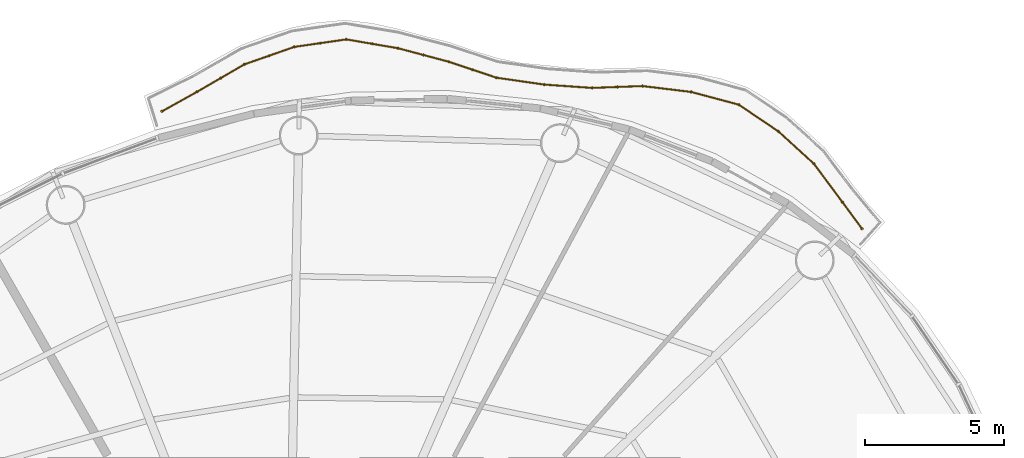
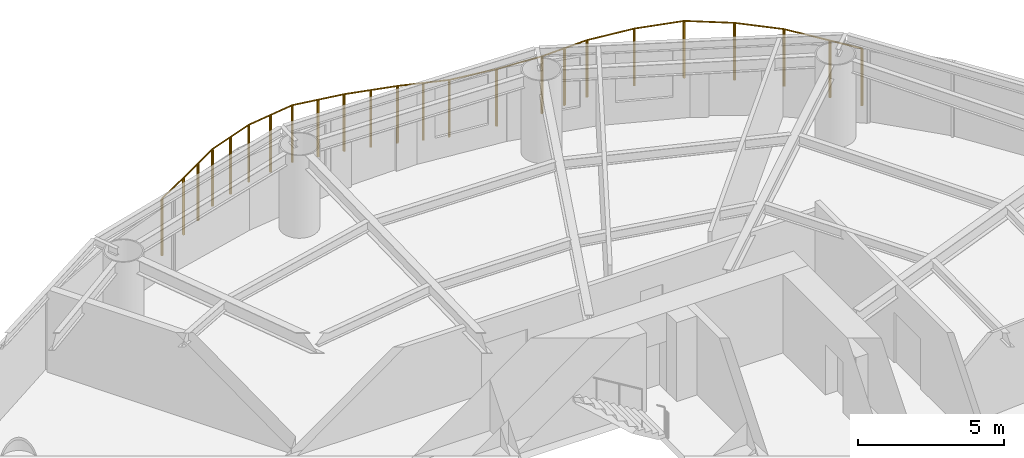
# One storey, part 15 of 15: 1 railing.
"""IFC4 building model written with IfcOpenShell, lengths in metres."""

from ifc_helpers import new_model, si_unit, direction, frame, origin, origin_2d, place, context, subcontext, project, spatial, circle, extrude, material, type_object, element, save


model = new_model("IFC4")

# Units and contexts
model_context = context("Model", 3, precision=1e-05, world=origin(), true_north=direction((0.0, 1.0)))
body_context = subcontext(model_context, "Body", "Model", "MODEL_VIEW")
ifc_project = project(units=[si_unit("LENGTHUNIT", "METRE"), si_unit("AREAUNIT", "SQUARE_METRE"), si_unit("VOLUMEUNIT", "CUBIC_METRE"), si_unit("PLANEANGLEUNIT", "RADIAN"), si_unit("MASSUNIT", "GRAM", prefix="KILO")], contexts=[model_context])

# Site, building, storey
site_placement = place(None, origin())
site = spatial("IfcSite", under=ifc_project, at=site_placement, CompositionType="ELEMENT")
building_placement = place(site_placement, origin())
building = spatial("IfcBuilding", under=site, at=building_placement, Name="Vermilion Reach Broadcast Tower", CompositionType="ELEMENT")
storey_placement = place(building_placement, frame((0.0, 0.0, 154.199951171875)))
storey = spatial("IfcBuildingStorey", under=building, at=storey_placement, Name="L36", CompositionType="ELEMENT", Elevation=154.199951171875)

# Railing
ifc_material = material(Name="Terracotta baguette", Category="masonry")
railing_type = type_object("IfcRailingType", Name="BAGUETTE SCREEN", PredefinedType="USERDEFINED", material=ifc_material)
railing_placement = place(storey_placement, frame((14.729248046875, 19.43994140625, 0.0)))
element("IfcRailing", 1, at=railing_placement, inside=storey, type_object=railing_type, Name="Baguette screen L36 group 1", ObjectType="BAGUETTE SCREEN", PredefinedType="USERDEFINED", context=body_context, shape_type="SweptSolid", body=[
    extrude(circle(Radius=0.030029296875, at=origin_2d()), frame((0.0, 0.0, 2.369873046875), z_axis=(-0.592667994117, 0.805446862772, 0.0), x_axis=(-0.805446862772, -0.592667994117, 0.0)), (0.0, 0.0, 1.0), 1.192138671875),
    extrude(circle(Radius=0.030029296875, at=origin_2d()), frame((-0.70654296875, 0.960205078125, 2.369873046875), z_axis=(-0.596331853001, 0.802738015231, 0.0), x_axis=(-0.802738015231, -0.596331853001, 0.0)), (0.0, 0.0, 1.0), 1.717529296875),
    extrude(circle(Radius=0.030029296875, at=origin_2d()), frame((-1.730712890625, 2.3388671875, 2.369873046875), z_axis=(-0.738714312066, 0.67401866825, 0.0), x_axis=(-0.67401866825, -0.738714312066, 0.0)), (0.0, 0.0, 1.0), 1.732177734375),
    extrude(circle(Radius=0.030029296875, at=origin_2d()), frame((-3.01025390625, 3.50634765625, 2.369873046875), z_axis=(-0.829210853045, 0.558935918682, 0.0), x_axis=(-0.558935918682, -0.829210853045, 0.0)), (0.0, 0.0, 1.0), 1.726318359375),
    extrude(circle(Radius=0.030029296875, at=origin_2d()), frame((-4.441650390625, 4.47119140625, 2.369873046875), z_axis=(-0.96611347599, 0.258117708636, 0.0), x_axis=(-0.258117708636, -0.96611347599, 0.0)), (0.0, 0.0, 1.0), 1.769775390625),
    extrude(circle(Radius=0.030029296875, at=origin_2d()), frame((-6.1513671875, 4.927978515625, 2.369873046875), z_axis=(-0.992708209787, 0.120542151223, 0.0), x_axis=(-0.120542151223, -0.992708209787, 0.0)), (0.0, 0.0, 1.0), 1.76416015625),
    extrude(circle(Radius=0.030029296875, at=origin_2d()), frame((-7.902587890625, 5.140625, 2.369873046875), z_axis=(-0.999313730242, -0.037041443667, 0.0), x_axis=(0.037041443667, -0.999313730242, 0.0)), (0.0, 0.0, 1.0), 1.819091796875),
    extrude(circle(Radius=0.030029296875, at=origin_2d()), frame((-9.720458984375, 5.0732421875, 2.369873046875), z_axis=(-0.997576016065, 0.069585143328, 0.0), x_axis=(-0.069585143328, -0.997576016065, 0.0)), (0.0, 0.0, 1.0), 1.72265625),
    extrude(circle(Radius=0.030029296875, at=origin_2d()), frame((-11.43896484375, 5.193115234375, 2.369873046875), z_axis=(-0.989842869332, 0.142165727345, 0.0), x_axis=(-0.142165727345, -0.989842869332, 0.0)), (0.0, 0.0, 1.0), 1.744873046875),
    extrude(circle(Radius=0.030029296875, at=origin_2d()), frame((-13.166015625, 5.441162109375, 2.369873046875), z_axis=(-0.9483056175, 0.317358560336, 0.0), x_axis=(-0.317358560336, -0.9483056175, 0.0)), (0.0, 0.0, 1.0), 1.813232421875),
    extrude(circle(Radius=0.030029296875, at=origin_2d()), frame((-14.885498046875, 6.0166015625, 2.369873046875), z_axis=(-0.966290858415, 0.257452863538, 0.0), x_axis=(-0.257452863538, -0.966290858415, 0.0)), (0.0, 0.0, 1.0), 1.88330078125),
    extrude(circle(Radius=0.030029296875, at=origin_2d()), frame((-16.705322265625, 6.50146484375, 2.369873046875), z_axis=(-0.985612430562, 0.16902111324, 0.0), x_axis=(-0.16902111324, -0.985612430562, 0.0)), (0.0, 0.0, 1.0), 1.892333984375),
    extrude(circle(Radius=0.030029296875, at=origin_2d()), frame((-18.5703125, 6.8212890625, 2.369873046875), z_axis=(-0.989755282646, -0.142774229029, 0.0), x_axis=(0.142774229029, -0.989755282646, 0.0)), (0.0, 0.0, 1.0), 1.894775390625),
    extrude(circle(Radius=0.030029296875, at=origin_2d()), frame((-20.445556640625, 6.55078125, 2.369873046875), z_axis=(-0.943866340391, -0.330327612345, 0.0), x_axis=(0.330327612345, -0.943866340391, 0.0)), (0.0, 0.0, 1.0), 1.90673828125),
    extrude(circle(Radius=0.030029296875, at=origin_2d()), frame((-22.245361328125, 5.9208984375, 2.369873046875), z_axis=(-0.86506449291, -0.501660665297, 0.0), x_axis=(0.501660665297, -0.86506449291, 0.0)), (0.0, 0.0, 1.0), 1.972412109375),
    extrude(circle(Radius=0.030029296875, at=origin_2d()), frame((-23.95166015625, 4.931396484375, 2.369873046875), z_axis=(-0.873574141123, -0.486691092954, 0.0), x_axis=(0.486691092954, -0.873574141123, 0.0)), (0.0, 0.0, 1.0), 1.443115234375),
    extrude(circle(Radius=0.050048828125, at=origin_2d()), origin(), (0.0, 0.0, 1.0), 2.33984375),
    extrude(circle(Radius=0.050048828125, at=origin_2d()), frame((-0.70654296875, 0.960205078125, 0.0)), (0.0, 0.0, 1.0), 2.33984375),
    extrude(circle(Radius=0.050048828125, at=origin_2d()), frame((-1.730712890625, 2.3388671875, 0.0)), (0.0, 0.0, 1.0), 2.33984375),
    extrude(circle(Radius=0.050048828125, at=origin_2d()), frame((-3.01025390625, 3.50634765625, 0.0)), (0.0, 0.0, 1.0), 2.33984375),
    extrude(circle(Radius=0.050048828125, at=origin_2d()), frame((-4.441650390625, 4.47119140625, 0.0)), (0.0, 0.0, 1.0), 2.33984375),
    extrude(circle(Radius=0.050048828125, at=origin_2d()), frame((-6.1513671875, 4.927978515625, 0.0)), (0.0, 0.0, 1.0), 2.33984375),
    extrude(circle(Radius=0.050048828125, at=origin_2d()), frame((-7.902587890625, 5.140625, 0.0)), (0.0, 0.0, 1.0), 2.33984375),
    extrude(circle(Radius=0.050048828125, at=origin_2d()), frame((-8.8115234375, 5.10693359375, 0.0)), (0.0, 0.0, 1.0), 2.33984375),
    extrude(circle(Radius=0.050048828125, at=origin_2d()), frame((-9.720458984375, 5.0732421875, 0.0)), (0.0, 0.0, 1.0), 2.33984375),
    extrude(circle(Radius=0.050048828125, at=origin_2d()), frame((-11.43896484375, 5.193115234375, 0.0)), (0.0, 0.0, 1.0), 2.33984375),
    extrude(circle(Radius=0.050048828125, at=origin_2d()), frame((-13.166015625, 5.441162109375, 0.0)), (0.0, 0.0, 1.0), 2.33984375),
    extrude(circle(Radius=0.050048828125, at=origin_2d()), frame((-14.02587890625, 5.72900390625, 0.0)), (0.0, 0.0, 1.0), 2.33984375),
    extrude(circle(Radius=0.050048828125, at=origin_2d()), frame((-14.885498046875, 6.0166015625, 0.0)), (0.0, 0.0, 1.0), 2.33984375),
    extrude(circle(Radius=0.050048828125, at=origin_2d()), frame((-15.79541015625, 6.259033203125, 0.0)), (0.0, 0.0, 1.0), 2.33984375),
    extrude(circle(Radius=0.050048828125, at=origin_2d()), frame((-16.705322265625, 6.50146484375, 0.0)), (0.0, 0.0, 1.0), 2.33984375),
    extrude(circle(Radius=0.050048828125, at=origin_2d()), frame((-17.6376953125, 6.661376953125, 0.0)), (0.0, 0.0, 1.0), 2.33984375),
    extrude(circle(Radius=0.050048828125, at=origin_2d()), frame((-18.5703125, 6.8212890625, 0.0)), (0.0, 0.0, 1.0), 2.33984375),
    extrude(circle(Radius=0.050048828125, at=origin_2d()), frame((-19.5078125, 6.68603515625, 0.0)), (0.0, 0.0, 1.0), 2.33984375),
    extrude(circle(Radius=0.050048828125, at=origin_2d()), frame((-20.445556640625, 6.55078125, 0.0)), (0.0, 0.0, 1.0), 2.33984375),
    extrude(circle(Radius=0.050048828125, at=origin_2d()), frame((-21.345458984375, 6.23583984375, 0.0)), (0.0, 0.0, 1.0), 2.33984375),
    extrude(circle(Radius=0.050048828125, at=origin_2d()), frame((-22.245361328125, 5.9208984375, 0.0)), (0.0, 0.0, 1.0), 2.33984375),
    extrude(circle(Radius=0.050048828125, at=origin_2d()), frame((-23.0986328125, 5.42626953125, 0.0)), (0.0, 0.0, 1.0), 2.33984375),
    extrude(circle(Radius=0.050048828125, at=origin_2d()), frame((-23.95166015625, 4.931396484375, 0.0)), (0.0, 0.0, 1.0), 2.33984375),
    extrude(circle(Radius=0.050048828125, at=origin_2d()), frame((-25.21240234375, 4.22900390625, 0.0)), (0.0, 0.0, 1.0), 2.33984375),
])

save(model, "model.ifc")
